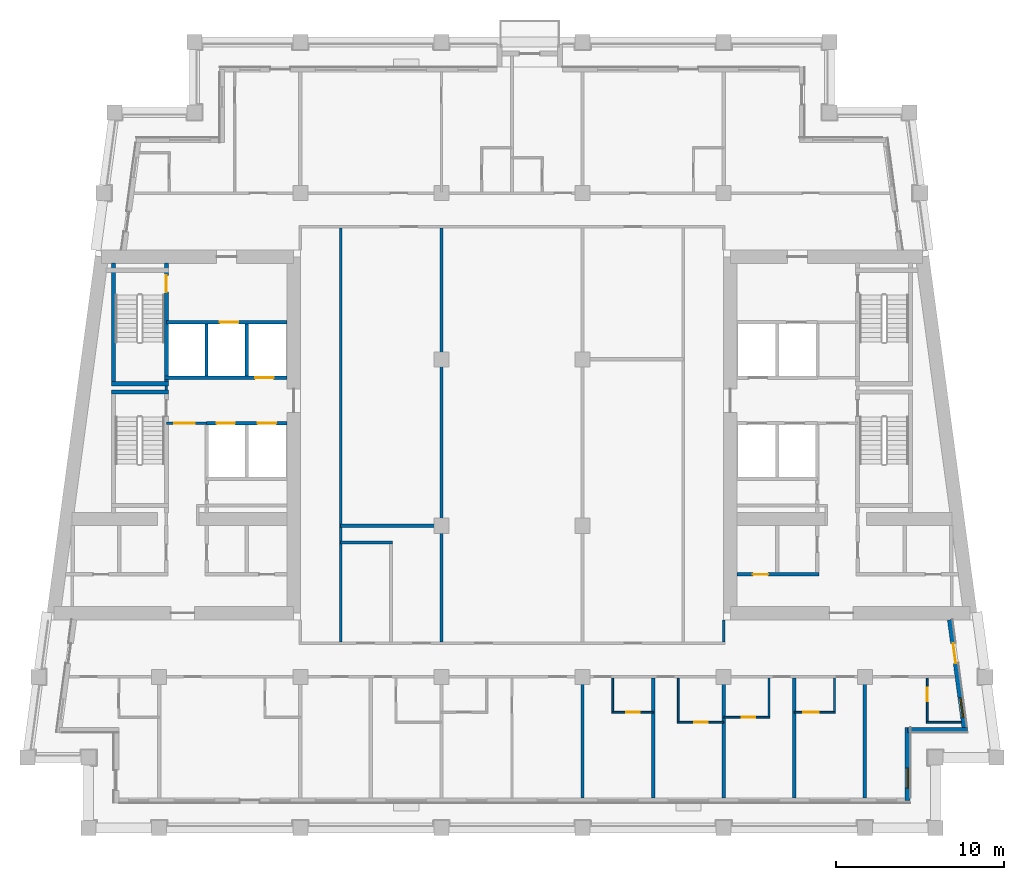
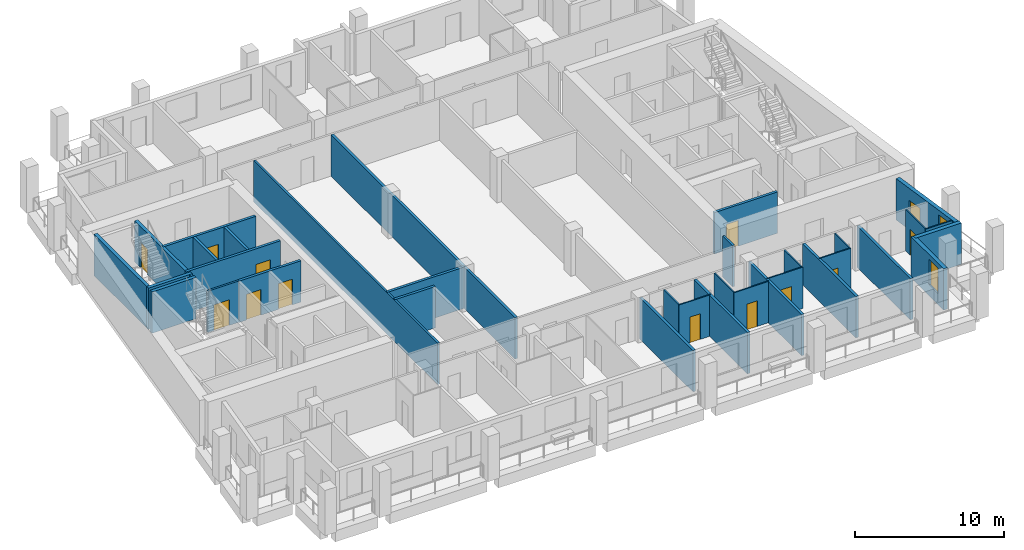
# One storey, part 4 of 12: 35 walls, 13 doors, 2 windows, 15 openings.
"""IFC4 building model written with IfcOpenShell, lengths in metres."""

from ifc_helpers import new_model, si_unit, direction, frame, frame_2d, origin, place, context, subcontext, project, spatial, rectangle, extrude, material, layer, layer_set, type_object, element, fill, save


model = new_model("IFC4")

# Units and contexts
model_context = context("Model", 3, precision=1e-05, world=origin(), true_north=direction((0.0, 1.0)))
body_context = subcontext(model_context, "Body", "Model", "MODEL_VIEW")
ifc_project = project(units=[si_unit("LENGTHUNIT", "METRE"), si_unit("AREAUNIT", "SQUARE_METRE"), si_unit("VOLUMEUNIT", "CUBIC_METRE"), si_unit("PLANEANGLEUNIT", "RADIAN"), si_unit("MASSUNIT", "GRAM", prefix="KILO")], contexts=[model_context])

# Site, building, storey
site_placement = place(None, origin())
site = spatial("IfcSite", under=ifc_project, at=site_placement, CompositionType="ELEMENT")
building_placement = place(site_placement, origin())
building = spatial("IfcBuilding", under=site, at=building_placement, Name="Candeia Pilgrim Tower and Theatre", CompositionType="ELEMENT")
storey_placement = place(building_placement, frame((0.0, 0.0, 228.10009765625)))
storey = spatial("IfcBuildingStorey", under=building, at=storey_placement, Name="L55", CompositionType="ELEMENT", Elevation=228.10009765625)

# Wall, opening, window
ifc_material_1 = material(Name="Ceramic block masonry", Category="masonry")
ifc_layer_1 = layer(ifc_material_1, 0.300048828125)
ifc_layer_set_1 = layer_set([ifc_layer_1], Name="EW1 glazing-line wall 300")
wall_type_1 = type_object("IfcWallType", Name="EW1 glazing-line wall 300", PredefinedType="SOLIDWALL", material=ifc_layer_set_1)
wall_1_placement = place(storey_placement, frame((136.949951171875, 99.64990234375, 0.0), z_axis=(0.0, 0.0, 1.0), x_axis=(0.0, 1.0, 0.0)))
wall_1 = element("IfcWall", 1, at=wall_1_placement, inside=storey, type_object=wall_type_1, Name="External wall L55-1.0", PredefinedType="SOLIDWALL", context=body_context, shape_type="SweptSolid", body=[
    extrude(rectangle(XDim=4.35009765625, YDim=0.300048828125, at=frame_2d((2.175048828125, 0.0))), origin(), (0.0, 0.0, 1.0), 3.3798828125),
])
opening_1_placement = place(wall_1_placement, frame((0.72509765625, 0.0, 0.89990234375)))
opening_1 = element("IfcOpeningElement", 2, at=opening_1_placement, cuts=wall_1, Name="Opening W-B", PredefinedType="OPENING", context=body_context, shape_type="SweptSolid", body=[
    extrude(rectangle(XDim=1.199951171875, YDim=2.10009765625, at=frame_2d((0.60009765625, 1.050048828125))), frame((0.0, 0.16015625, 0.0), z_axis=(0.0, -1.0, 0.0), x_axis=(1.0, 0.0, 0.0)), (0.0, 0.0, 1.0), 0.320068359375),
])
ifc_material_2 = material(Name="Aluminium framed double glazing", Category="aluminium")
window_type = type_object("IfcWindowType", Name="W-B window 1200x2100", PartitioningType="SINGLE_PANEL", PredefinedType="WINDOW", material=ifc_material_2)
window_1_placement = place(opening_1_placement, origin())
window_1 = element("IfcWindow", 3, at=window_1_placement, inside=storey, type_object=window_type, Name="Window W-B L55", OverallHeight=2.10009765625, OverallWidth=1.199951171875, PartitioningType="SINGLE_PANEL", PredefinedType="WINDOW", context=body_context, shape_type="SweptSolid", body=[
    extrude(rectangle(XDim=1.199951171875, YDim=2.10009765625, at=frame_2d((0.60009765625, 1.050048828125))), frame((0.0, 0.030029296875, 0.0), z_axis=(0.0, -1.0, 0.0), x_axis=(1.0, 0.0, 0.0)), (0.0, 0.0, 1.0), 0.06005859375),
])
fill(opening_1, window_1)

# Wall
wall_2_placement = place(storey_placement, frame((136.949951171875, 103.85009765625, 0.0), z_axis=(0.0, 0.0, 1.0), x_axis=(1.0, 0.0, 0.0)))
element("IfcWall", 4, at=wall_2_placement, inside=storey, type_object=wall_type_1, Name="External wall L55-2.0", PredefinedType="SOLIDWALL", context=body_context, shape_type="SweptSolid", body=[
    extrude(rectangle(XDim=3.569091796875, YDim=0.300048828125, at=frame_2d((1.78466796875, 0.0))), origin(), (0.0, 0.0, 1.0), 3.3798828125),
])

# Wall, openings, door, window
wall_3_placement = place(storey_placement, frame((140.34765625, 103.85009765625, 0.0), z_axis=(0.0, 0.0, 1.0), x_axis=(-0.133431549479, 0.991058031401, 0.0)))
wall_3 = element("IfcWall", 5, at=wall_3_placement, inside=storey, type_object=wall_type_1, Name="External wall L55-3.0", PredefinedType="SOLIDWALL", context=body_context, shape_type="SweptSolid", body=[
    extrude(rectangle(XDim=6.60888671875, YDim=0.300048828125, at=frame_2d((3.304443359375, 0.0))), origin(), (0.0, 0.0, 1.0), 3.3798828125),
])
opening_2_placement = place(wall_3_placement, frame((0.736572265625, 0.0, 0.89990234375)))
opening_2 = element("IfcOpeningElement", 6, at=opening_2_placement, cuts=wall_3, Name="Opening W-B", PredefinedType="OPENING", context=body_context, shape_type="SweptSolid", body=[
    extrude(rectangle(XDim=1.199951171875, YDim=2.10009765625, at=frame_2d((0.60009765625, 1.050048828125))), frame((0.0, 0.16015625, 0.0), z_axis=(0.0, -1.0, 0.0), x_axis=(1.0, 0.0, 0.0)), (0.0, 0.0, 1.0), 0.320068359375),
])
opening_3_placement = place(wall_3_placement, frame((3.990966796875, 0.0, 0.0)))
opening_3 = element("IfcOpeningElement", 7, at=opening_3_placement, cuts=wall_3, Name="Opening L55-ED526", PredefinedType="OPENING", context=body_context, shape_type="SweptSolid", body=[
    extrude(rectangle(XDim=1.199951171875, YDim=2.39990234375, at=frame_2d((0.60009765625, 1.199951171875))), frame((0.0, 0.16015625, 0.0), z_axis=(0.0, -1.0, 0.0), x_axis=(1.0, 0.0, 0.0)), (0.0, 0.0, 1.0), 0.320068359375),
])
ifc_material_3 = material(Name="Aluminium framed glazed door", Category="aluminium")
door_type_1 = type_object("IfcDoorType", Name="Loggia door 1200x2400", OperationType="DOUBLE_DOOR_SINGLE_SWING", PredefinedType="DOOR", material=ifc_material_3)
door_1_placement = place(opening_3_placement, origin())
door_1 = element("IfcDoor", 8, at=door_1_placement, inside=storey, type_object=door_type_1, Name="Loggia door L55-ED526", OperationType="DOUBLE_DOOR_SINGLE_SWING", OverallHeight=2.39990234375, OverallWidth=1.199951171875, PredefinedType="DOOR", context=body_context, shape_type="SweptSolid", body=[
    extrude(rectangle(XDim=1.199951171875, YDim=2.39990234375, at=frame_2d((0.60009765625, 1.199951171875))), frame((0.0, 0.02490234375, 0.0), z_axis=(0.0, -1.0, 0.0), x_axis=(1.0, 0.0, 0.0)), (0.0, 0.0, 1.0), 0.050048828125),
])
fill(opening_3, door_1)
window_2_placement = place(opening_2_placement, origin())
window_2 = element("IfcWindow", 9, at=window_2_placement, inside=storey, type_object=window_type, Name="Window W-B L55", OverallHeight=2.10009765625, OverallWidth=1.199951171875, PartitioningType="SINGLE_PANEL", PredefinedType="WINDOW", context=body_context, shape_type="SweptSolid", body=[
    extrude(rectangle(XDim=1.199951171875, YDim=2.10009765625, at=frame_2d((0.60009765625, 1.050048828125))), frame((0.0, 0.030029296875, 0.0), z_axis=(0.0, -1.0, 0.0), x_axis=(1.0, 0.0, 0.0)), (0.0, 0.0, 1.0), 0.06005859375),
])
fill(opening_2, window_2)

# Wall, opening, door
ifc_material_4 = material(Name="Gypsum board partition on steel studs", Category="steel")
ifc_layer_2 = layer(ifc_material_4, 0.10009765625)
ifc_layer_set_2 = layer_set([ifc_layer_2], Name="PW-100 room partition")
wall_type_2 = type_object("IfcWallType", Name="PW-100 room partition", PredefinedType="PARTITIONING", material=ifc_layer_set_2)
wall_4_placement = place(storey_placement, frame((123.25, 104.300048828125, 0.0), z_axis=(0.0, 0.0, 1.0), x_axis=(1.0, 0.0, 0.0)))
wall_4 = element("IfcWall", 10, at=wall_4_placement, inside=storey, type_object=wall_type_2, Name="Room partition L55-002", PredefinedType="PARTITIONING", context=body_context, shape_type="SweptSolid", body=[
    extrude(rectangle(XDim=2.75, YDim=0.10009765625, at=frame_2d((1.375, 0.0))), origin(), (0.0, 0.0, 1.0), 3.3798828125),
])
opening_4_placement = place(wall_4_placement, frame((1.0, 0.0, 0.0)))
opening_4 = element("IfcOpeningElement", 11, at=opening_4_placement, cuts=wall_4, Name="Opening L55-D030", PredefinedType="OPENING", context=body_context, shape_type="SweptSolid", body=[
    extrude(rectangle(XDim=0.800048828125, YDim=2.10009765625, at=frame_2d((0.39990234375, 1.050048828125))), frame((0.0, 0.06005859375, 0.0), z_axis=(0.0, -1.0, 0.0), x_axis=(1.0, 0.0, 0.0)), (0.0, 0.0, 1.0), 0.1201171875),
])
ifc_material_5 = material(Name="Timber door leaf", Category="wood")
door_type_2 = type_object("IfcDoorType", Name="D-800", OperationType="NOTDEFINED", PredefinedType="DOOR", material=ifc_material_5)
door_2_placement = place(opening_4_placement, origin())
door_2 = element("IfcDoor", 12, at=door_2_placement, inside=storey, type_object=door_type_2, Name="Door L55-D030", OperationType="SINGLE_SWING_LEFT", OverallHeight=2.10009765625, OverallWidth=0.800048828125, PredefinedType="DOOR", context=body_context, shape_type="SweptSolid", body=[
    extrude(rectangle(XDim=0.800048828125, YDim=2.10009765625, at=frame_2d((0.39990234375, 1.050048828125))), frame((0.0, 0.02490234375, 0.0), z_axis=(0.0, -1.0, 0.0), x_axis=(1.0, 0.0, 0.0)), (0.0, 0.0, 1.0), 0.050048828125),
])
fill(opening_4, door_2)

# Wall
wall_5_placement = place(storey_placement, frame((138.070068359375, 104.300048828125, 0.0), z_axis=(0.0, 0.0, 1.0), x_axis=(1.0, 0.0, 0.0)))
element("IfcWall", 13, at=wall_5_placement, inside=storey, type_object=wall_type_2, Name="Room partition L55-003", PredefinedType="PARTITIONING", context=body_context, shape_type="SweptSolid", body=[
    extrude(rectangle(XDim=2.07568359375, YDim=0.10009765625, at=frame_2d((1.037841796875, 0.0))), origin(), (0.0, 0.0, 1.0), 3.3798828125),
])

# Wall, opening, door
wall_6_placement = place(storey_placement, frame((126.0, 104.60009765625, 0.0), z_axis=(0.0, 0.0, 1.0), x_axis=(1.0, 0.0, 0.0)))
wall_6 = element("IfcWall", 14, at=wall_6_placement, inside=storey, type_object=wall_type_2, Name="Room partition L55-006", PredefinedType="PARTITIONING", context=body_context, shape_type="SweptSolid", body=[
    extrude(rectangle(XDim=2.75, YDim=0.10009765625, at=frame_2d((1.375, 0.0))), origin(), (0.0, 0.0, 1.0), 3.3798828125),
])
opening_5_placement = place(wall_6_placement, frame((1.070068359375, 0.0, 0.0)))
opening_5 = element("IfcOpeningElement", 15, at=opening_5_placement, cuts=wall_6, Name="Opening L55-D032", PredefinedType="OPENING", context=body_context, shape_type="SweptSolid", body=[
    extrude(rectangle(XDim=0.800048828125, YDim=2.10009765625, at=frame_2d((0.39990234375, 1.050048828125))), frame((0.0, 0.06005859375, 0.0), z_axis=(0.0, -1.0, 0.0), x_axis=(1.0, 0.0, 0.0)), (0.0, 0.0, 1.0), 0.1201171875),
])
door_3_placement = place(opening_5_placement, origin())
door_3 = element("IfcDoor", 16, at=door_3_placement, inside=storey, type_object=door_type_2, Name="Door L55-D032", OperationType="SINGLE_SWING_LEFT", OverallHeight=2.10009765625, OverallWidth=0.800048828125, PredefinedType="DOOR", context=body_context, shape_type="SweptSolid", body=[
    extrude(rectangle(XDim=0.800048828125, YDim=2.10009765625, at=frame_2d((0.39990234375, 1.050048828125))), frame((0.0, 0.02490234375, 0.0), z_axis=(0.0, -1.0, 0.0), x_axis=(1.0, 0.0, 0.0)), (0.0, 0.0, 1.0), 0.050048828125),
])
fill(opening_5, door_3)

wall_7_placement = place(storey_placement, frame((119.35009765625, 104.89990234375, 0.0), z_axis=(0.0, 0.0, 1.0), x_axis=(1.0, 0.0, 0.0)))
wall_7 = element("IfcWall", 17, at=wall_7_placement, inside=storey, type_object=wall_type_2, Name="Room partition L55-008", PredefinedType="PARTITIONING", context=body_context, shape_type="SweptSolid", body=[
    extrude(rectangle(XDim=2.449951171875, YDim=0.10009765625, at=frame_2d((1.22509765625, 0.0))), origin(), (0.0, 0.0, 1.0), 3.3798828125),
])
opening_6_placement = place(wall_7_placement, frame((0.85009765625, 0.0, 0.0)))
opening_6 = element("IfcOpeningElement", 18, at=opening_6_placement, cuts=wall_7, Name="Opening L55-D028", PredefinedType="OPENING", context=body_context, shape_type="SweptSolid", body=[
    extrude(rectangle(XDim=0.800048828125, YDim=2.10009765625, at=frame_2d((0.39990234375, 1.050048828125))), frame((0.0, 0.06005859375, 0.0), z_axis=(0.0, -1.0, 0.0), x_axis=(1.0, 0.0, 0.0)), (0.0, 0.0, 1.0), 0.1201171875),
])
door_4_placement = place(opening_6_placement, origin())
door_4 = element("IfcDoor", 19, at=door_4_placement, inside=storey, type_object=door_type_2, Name="Door L55-D028", OperationType="SINGLE_SWING_LEFT", OverallHeight=2.10009765625, OverallWidth=0.800048828125, PredefinedType="DOOR", context=body_context, shape_type="SweptSolid", body=[
    extrude(rectangle(XDim=0.800048828125, YDim=2.10009765625, at=frame_2d((0.39990234375, 1.050048828125))), frame((0.0, 0.02490234375, 0.0), z_axis=(0.0, -1.0, 0.0), x_axis=(1.0, 0.0, 0.0)), (0.0, 0.0, 1.0), 0.050048828125),
])
fill(opening_6, door_4)

wall_8_placement = place(storey_placement, frame((130.199951171875, 104.89990234375, 0.0), z_axis=(0.0, 0.0, 1.0), x_axis=(1.0, 0.0, 0.0)))
wall_8 = element("IfcWall", 20, at=wall_8_placement, inside=storey, type_object=wall_type_2, Name="Room partition L55-009", PredefinedType="PARTITIONING", context=body_context, shape_type="SweptSolid", body=[
    extrude(rectangle(XDim=2.449951171875, YDim=0.10009765625, at=frame_2d((1.22509765625, 0.0))), origin(), (0.0, 0.0, 1.0), 3.3798828125),
])
opening_7_placement = place(wall_8_placement, frame((0.550048828125, 0.0, 0.0)))
opening_7 = element("IfcOpeningElement", 21, at=opening_7_placement, cuts=wall_8, Name="Opening L55-D034", PredefinedType="OPENING", context=body_context, shape_type="SweptSolid", body=[
    extrude(rectangle(XDim=0.89990234375, YDim=2.10009765625, at=frame_2d((0.449951171875, 1.050048828125))), frame((0.0, 0.06005859375, 0.0), z_axis=(0.0, -1.0, 0.0), x_axis=(1.0, 0.0, 0.0)), (0.0, 0.0, 1.0), 0.1201171875),
])
door_type_3 = type_object("IfcDoorType", Name="D-900", OperationType="NOTDEFINED", PredefinedType="DOOR", material=ifc_material_5)
door_5_placement = place(opening_7_placement, origin())
door_5 = element("IfcDoor", 22, at=door_5_placement, inside=storey, type_object=door_type_3, Name="Door L55-D034", OperationType="SINGLE_SWING_LEFT", OverallHeight=2.10009765625, OverallWidth=0.89990234375, PredefinedType="DOOR", context=body_context, shape_type="SweptSolid", body=[
    extrude(rectangle(XDim=0.89990234375, YDim=2.10009765625, at=frame_2d((0.449951171875, 1.050048828125))), frame((0.0, 0.02490234375, 0.0), z_axis=(0.0, -1.0, 0.0), x_axis=(1.0, 0.0, 0.0)), (0.0, 0.0, 1.0), 0.050048828125),
])
fill(opening_7, door_5)

# Walls
wall_9_placement = place(storey_placement, frame((119.39990234375, 104.949951171875, 0.0), z_axis=(0.0, 0.0, 1.0), x_axis=(0.0, 1.0, 0.0)))
element("IfcWall", 23, at=wall_9_placement, inside=storey, type_object=wall_type_2, Name="Room partition L55-090", PredefinedType="PARTITIONING", context=body_context, shape_type="SweptSolid", body=[
    extrude(rectangle(XDim=1.97509765625, YDim=0.10009765625, at=frame_2d((0.987548828125, 0.0))), origin(), (0.0, 0.0, 1.0), 3.3798828125),
])
wall_10_placement = place(storey_placement, frame((123.300048828125, 104.35009765625, 0.0), z_axis=(0.0, 0.0, 1.0), x_axis=(0.0, 1.0, 0.0)))
element("IfcWall", 24, at=wall_10_placement, inside=storey, type_object=wall_type_2, Name="Room partition L55-092", PredefinedType="PARTITIONING", context=body_context, shape_type="SweptSolid", body=[
    extrude(rectangle(XDim=2.574951171875, YDim=0.10009765625, at=frame_2d((1.28759765625, 0.0))), origin(), (0.0, 0.0, 1.0), 3.3798828125),
])
wall_11_placement = place(storey_placement, frame((128.699951171875, 104.64990234375, 0.0), z_axis=(0.0, 0.0, 1.0), x_axis=(0.0, 1.0, 0.0)))
element("IfcWall", 25, at=wall_11_placement, inside=storey, type_object=wall_type_2, Name="Room partition L55-099", PredefinedType="PARTITIONING", context=body_context, shape_type="SweptSolid", body=[
    extrude(rectangle(XDim=2.275146484375, YDim=0.10009765625, at=frame_2d((1.1376953125, 0.0))), origin(), (0.0, 0.0, 1.0), 3.3798828125),
])
wall_12_placement = place(storey_placement, frame((132.60009765625, 104.949951171875, 0.0), z_axis=(0.0, 0.0, 1.0), x_axis=(0.0, 1.0, 0.0)))
element("IfcWall", 26, at=wall_12_placement, inside=storey, type_object=wall_type_2, Name="Room partition L55-108", PredefinedType="PARTITIONING", context=body_context, shape_type="SweptSolid", body=[
    extrude(rectangle(XDim=1.97509765625, YDim=0.10009765625, at=frame_2d((0.987548828125, 0.0))), origin(), (0.0, 0.0, 1.0), 3.3798828125),
])

# Wall, opening, door
wall_13_placement = place(storey_placement, frame((138.1201171875, 104.35009765625, 0.0), z_axis=(0.0, 0.0, 1.0), x_axis=(0.0, 1.0, 0.0)))
wall_13 = element("IfcWall", 27, at=wall_13_placement, inside=storey, type_object=wall_type_2, Name="Room partition L55-118", PredefinedType="PARTITIONING", context=body_context, shape_type="SweptSolid", body=[
    extrude(rectangle(XDim=2.574951171875, YDim=0.10009765625, at=frame_2d((1.28759765625, 0.0))), origin(), (0.0, 0.0, 1.0), 3.3798828125),
])
opening_8_placement = place(wall_13_placement, frame((1.199951171875, 0.0, 0.0)))
opening_8 = element("IfcOpeningElement", 28, at=opening_8_placement, cuts=wall_13, Name="Opening L55-D036", PredefinedType="OPENING", context=body_context, shape_type="SweptSolid", body=[
    extrude(rectangle(XDim=0.800048828125, YDim=2.10009765625, at=frame_2d((0.39990234375, 1.050048828125))), frame((0.0, 0.06005859375, 0.0), z_axis=(0.0, -1.0, 0.0), x_axis=(1.0, 0.0, 0.0)), (0.0, 0.0, 1.0), 0.1201171875),
])
door_6_placement = place(opening_8_placement, origin())
door_6 = element("IfcDoor", 29, at=door_6_placement, inside=storey, type_object=door_type_2, Name="Door L55-D036", OperationType="SINGLE_SWING_LEFT", OverallHeight=2.10009765625, OverallWidth=0.800048828125, PredefinedType="DOOR", context=body_context, shape_type="SweptSolid", body=[
    extrude(rectangle(XDim=0.800048828125, YDim=2.10009765625, at=frame_2d((0.39990234375, 1.050048828125))), frame((0.0, 0.02490234375, 0.0), z_axis=(0.0, -1.0, 0.0), x_axis=(1.0, 0.0, 0.0)), (0.0, 0.0, 1.0), 0.050048828125),
])
fill(opening_8, door_6)

ifc_layer_3 = layer(ifc_material_4, 0.14990234375)
ifc_layer_set_3 = layer_set([ifc_layer_3], Name="PW-150 lobby wall")
wall_type_3 = type_object("IfcWallType", Name="PW-150 lobby wall", PredefinedType="PARTITIONING", material=ifc_layer_set_3)
wall_14_placement = place(storey_placement, frame((92.826904296875, 122.10009765625, 0.0), z_axis=(0.0, 0.0, 1.0), x_axis=(1.0, 0.0, 0.0)))
wall_14 = element("IfcWall", 30, at=wall_14_placement, inside=storey, type_object=wall_type_3, Name="Lobby wall L55-028", PredefinedType="PARTITIONING", context=body_context, shape_type="SweptSolid", body=[
    extrude(rectangle(XDim=2.400146484375, YDim=0.14990234375, at=frame_2d((1.2001953125, 0.0))), origin(), (0.0, 0.0, 1.0), 3.3798828125),
])
opening_9_placement = place(wall_14_placement, frame((0.47509765625, 0.0, 0.0)))
opening_9 = element("IfcOpeningElement", 31, at=opening_9_placement, cuts=wall_14, Name="Opening L55-D001", PredefinedType="OPENING", context=body_context, shape_type="SweptSolid", body=[
    extrude(rectangle(XDim=1.199951171875, YDim=2.10009765625, at=frame_2d((0.60009765625, 1.050048828125))), frame((0.0, 0.0849609375, 0.0), z_axis=(0.0, -1.0, 0.0), x_axis=(1.0, 0.0, 0.0)), (0.0, 0.0, 1.0), 0.169921875),
])
ifc_material_6 = material(Name="Steel fire door set", Category="steel")
door_type_4 = type_object("IfcDoorType", Name="D-1200-FD60", OperationType="NOTDEFINED", PredefinedType="DOOR", material=ifc_material_6)
door_7_placement = place(opening_9_placement, origin())
door_7 = element("IfcDoor", 32, at=door_7_placement, inside=storey, type_object=door_type_4, Name="Door L55-D001", OperationType="SINGLE_SWING_RIGHT", OverallHeight=2.10009765625, OverallWidth=1.199951171875, PredefinedType="DOOR", context=body_context, shape_type="SweptSolid", body=[
    extrude(rectangle(XDim=1.199951171875, YDim=2.10009765625, at=frame_2d((0.60009765625, 1.050048828125))), frame((0.0, 0.02490234375, 0.0), z_axis=(0.0, -1.0, 0.0), x_axis=(1.0, 0.0, 0.0)), (0.0, 0.0, 1.0), 0.050048828125),
])
fill(opening_9, door_7)

# Walls
wall_15_placement = place(storey_placement, frame((92.826904296875, 124.074951171875, 0.0), z_axis=(0.0, 0.0, 1.0), x_axis=(0.0, 1.0, 0.0)))
element("IfcWall", 33, at=wall_15_placement, inside=storey, type_object=wall_type_3, Name="Lobby wall L55-058", PredefinedType="PARTITIONING", context=body_context, shape_type="SweptSolid", body=[
    extrude(rectangle(XDim=0.25, YDim=0.14990234375, at=frame_2d((0.125, 0.0))), origin(), (0.0, 0.0, 1.0), 3.3798828125),
])
ifc_layer_4 = layer(ifc_material_4, 0.14990234375)
ifc_layer_set_4 = layer_set([ifc_layer_4], Name="PW-150 unit wall")
wall_type_4 = type_object("IfcWallType", Name="PW-150 unit wall", PredefinedType="PARTITIONING", material=ifc_layer_set_4)
wall_16_placement = place(storey_placement, frame((103.199951171875, 109.074951171875, 0.0), z_axis=(0.0, 0.0, 1.0), x_axis=(0.0, 1.0, 0.0)))
element("IfcWall", 34, at=wall_16_placement, inside=storey, type_object=wall_type_4, Name="Unit wall L55-075", PredefinedType="PARTITIONING", context=body_context, shape_type="SweptSolid", body=[
    extrude(rectangle(XDim=24.650146484375, YDim=0.14990234375, at=frame_2d((12.3251953125, 0.0))), origin(), (0.0, 0.0, 1.0), 3.3798828125),
])
wall_17_placement = place(storey_placement, frame((126.0, 109.074951171875, 0.0), z_axis=(0.0, 0.0, 1.0), x_axis=(0.0, 1.0, 0.0)))
element("IfcWall", 35, at=wall_17_placement, inside=storey, type_object=wall_type_4, Name="Unit wall L55-097", PredefinedType="PARTITIONING", context=body_context, shape_type="SweptSolid", body=[
    extrude(rectangle(XDim=1.324951171875, YDim=0.14990234375, at=frame_2d((0.66259765625, 0.0))), origin(), (0.0, 0.0, 1.0), 3.3798828125),
])
ifc_layer_5 = layer(ifc_material_4, 0.199951171875)
ifc_layer_set_5 = layer_set([ifc_layer_5], Name="PW-200 party wall")
wall_type_5 = type_object("IfcWallType", Name="PW-200 party wall", PredefinedType="PARTITIONING", material=ifc_layer_set_5)
wall_18_placement = place(storey_placement, frame((103.199951171875, 115.0, 0.0), z_axis=(0.0, 0.0, 1.0), x_axis=(1.0, 0.0, 0.0)))
element("IfcWall", 36, at=wall_18_placement, inside=storey, type_object=wall_type_5, Name="Party wall L55-016", PredefinedType="PARTITIONING", context=body_context, shape_type="SweptSolid", body=[
    extrude(rectangle(XDim=3.10009765625, YDim=0.199951171875, at=frame_2d((1.550048828125, 0.0))), origin(), (0.0, 0.0, 1.0), 3.3798828125),
])
wall_19_placement = place(storey_placement, frame((103.199951171875, 116.0, 0.0), z_axis=(0.0, 0.0, 1.0), x_axis=(1.0, 0.0, 0.0)))
element("IfcWall", 37, at=wall_19_placement, inside=storey, type_object=wall_type_5, Name="Party wall L55-017", PredefinedType="PARTITIONING", context=body_context, shape_type="SweptSolid", body=[
    extrude(rectangle(XDim=6.0, YDim=0.199951171875, at=frame_2d((3.0, 0.0))), origin(), (0.0, 0.0, 1.0), 3.3798828125),
])
wall_20_placement = place(storey_placement, frame((109.199951171875, 109.074951171875, 0.0), z_axis=(0.0, 0.0, 1.0), x_axis=(0.0, 1.0, 0.0)))
element("IfcWall", 38, at=wall_20_placement, inside=storey, type_object=wall_type_5, Name="Party wall L55-081", PredefinedType="PARTITIONING", context=body_context, shape_type="SweptSolid", body=[
    extrude(rectangle(XDim=24.650146484375, YDim=0.199951171875, at=frame_2d((12.3251953125, 0.0))), origin(), (0.0, 0.0, 1.0), 3.3798828125),
])
for number, where, z_axis, x_axis, name in (
    (39, (117.60009765625, 99.7900390625, 0.0), (0.0, 0.0, 1.0), (0.0, 1.0, 0.0), "Party wall L55-087"),
    (40, (121.800048828125, 99.7900390625, 0.0), (0.0, 0.0, 1.0), (0.0, 1.0, 0.0), "Party wall L55-091"),
    (41, (126.0, 99.7900390625, 0.0), (0.0, 0.0, 1.0), (0.0, 1.0, 0.0), "Party wall L55-095"),
    (42, (130.199951171875, 99.7900390625, 0.0), (0.0, 0.0, 1.0), (0.0, 1.0, 0.0), "Party wall L55-103"),
    (43, (134.39990234375, 99.7900390625, 0.0), (0.0, 0.0, 1.0), (0.0, 1.0, 0.0), "Party wall L55-114"),
):
    element("IfcWall", number, at=place(storey_placement, frame(where, z_axis=z_axis, x_axis=x_axis)), inside=storey, type_object=wall_type_5, Name=name, PredefinedType="PARTITIONING", context=body_context, shape_type="SweptSolid", body=[
        extrude(rectangle(XDim=7.135009765625, YDim=0.199951171875, at=frame_2d((3.5673828125, 0.0))), origin(), (0.0, 0.0, 1.0), 3.3798828125),
    ])

# Wall, opening, door
ifc_material_7 = material(Name="Concrete C40/50", Category="concrete")
ifc_layer_6 = layer(ifc_material_7, 0.199951171875)
ifc_layer_set_6 = layer_set([ifc_layer_6], Name="SW-200 shaft wall")
wall_type_6 = type_object("IfcWallType", Name="SW-200 shaft wall", PredefinedType="PARTITIONING", material=ifc_layer_set_6)
wall_21_placement = place(storey_placement, frame((126.800048828125, 113.10009765625, 0.0), z_axis=(0.0, 0.0, 1.0), x_axis=(1.0, 0.0, 0.0)))
wall_21 = element("IfcWall", 44, at=wall_21_placement, inside=storey, type_object=wall_type_6, Name="Shaft wall L55-014", PredefinedType="PARTITIONING", context=body_context, shape_type="SweptSolid", body=[
    extrude(rectangle(XDim=4.873046875, YDim=0.199951171875, at=frame_2d((2.4365234375, 0.0))), origin(), (0.0, 0.0, 1.0), 3.3798828125),
])
opening_10_placement = place(wall_21_placement, frame((0.93994140625, 0.0, 0.0)))
opening_10 = element("IfcOpeningElement", 45, at=opening_10_placement, cuts=wall_21, Name="Opening L55-D016", PredefinedType="OPENING", context=body_context, shape_type="SweptSolid", body=[
    extrude(rectangle(XDim=0.89990234375, YDim=2.10009765625, at=frame_2d((0.449951171875, 1.050048828125))), frame((0.0, 0.10986328125, 0.0), z_axis=(0.0, -1.0, 0.0), x_axis=(1.0, 0.0, 0.0)), (0.0, 0.0, 1.0), 0.219970703125),
])
door_type_5 = type_object("IfcDoorType", Name="D-900-FD60", OperationType="NOTDEFINED", PredefinedType="DOOR", material=ifc_material_6)
door_8_placement = place(opening_10_placement, origin())
door_8 = element("IfcDoor", 46, at=door_8_placement, inside=storey, type_object=door_type_5, Name="Door L55-D016", OperationType="SINGLE_SWING_LEFT", OverallHeight=2.10009765625, OverallWidth=0.89990234375, PredefinedType="DOOR", context=body_context, shape_type="SweptSolid", body=[
    extrude(rectangle(XDim=0.89990234375, YDim=2.10009765625, at=frame_2d((0.449951171875, 1.050048828125))), frame((0.0, 0.02490234375, 0.0), z_axis=(0.0, -1.0, 0.0), x_axis=(1.0, 0.0, 0.0)), (0.0, 0.0, 1.0), 0.050048828125),
])
fill(opening_10, door_8)

# Wall, openings, doors
wall_22_placement = place(storey_placement, frame((95.22705078125, 122.10009765625, 0.0), z_axis=(0.0, 0.0, 1.0), x_axis=(1.0, 0.0, 0.0)))
wall_22 = element("IfcWall", 47, at=wall_22_placement, inside=storey, type_object=wall_type_6, Name="Shaft wall L55-026", PredefinedType="PARTITIONING", context=body_context, shape_type="SweptSolid", body=[
    extrude(rectangle(XDim=4.77294921875, YDim=0.199951171875, at=frame_2d((2.386474609375, 0.0))), origin(), (0.0, 0.0, 1.0), 3.3798828125),
])
opening_11_placement = place(wall_22_placement, frame((0.5849609375, 0.0, 0.0)))
opening_11 = element("IfcOpeningElement", 48, at=opening_11_placement, cuts=wall_22, Name="Opening L55-LD01", PredefinedType="OPENING", context=body_context, shape_type="SweptSolid", body=[
    extrude(rectangle(XDim=1.10009765625, YDim=2.10009765625, at=frame_2d((0.550048828125, 1.050048828125))), frame((0.0, 0.10986328125, 0.0), z_axis=(0.0, -1.0, 0.0), x_axis=(1.0, 0.0, 0.0)), (0.0, 0.0, 1.0), 0.219970703125),
])
opening_12_placement = place(wall_22_placement, frame((3.030029296875, 0.0, 0.0)))
opening_12 = element("IfcOpeningElement", 49, at=opening_12_placement, cuts=wall_22, Name="Opening L55-LD02", PredefinedType="OPENING", context=body_context, shape_type="SweptSolid", body=[
    extrude(rectangle(XDim=1.10009765625, YDim=2.10009765625, at=frame_2d((0.550048828125, 1.050048828125))), frame((0.0, 0.10986328125, 0.0), z_axis=(0.0, -1.0, 0.0), x_axis=(1.0, 0.0, 0.0)), (0.0, 0.0, 1.0), 0.219970703125),
])
ifc_material_8 = material(Name="Glazed aluminium landing door", Category="aluminium")
door_type_6 = type_object("IfcDoorType", Name="LD-1100-EI120", OperationType="SLIDING_TO_LEFT", PredefinedType="DOOR", material=ifc_material_8)
door_9_placement = place(opening_11_placement, origin())
door_9 = element("IfcDoor", 50, at=door_9_placement, inside=storey, type_object=door_type_6, Name="Landing door 01 L55", OperationType="SLIDING_TO_LEFT", OverallHeight=2.10009765625, OverallWidth=1.10009765625, PredefinedType="DOOR", context=body_context, shape_type="SweptSolid", body=[
    extrude(rectangle(XDim=1.10009765625, YDim=2.10009765625, at=frame_2d((0.550048828125, 1.050048828125))), frame((0.0, 0.02490234375, 0.0), z_axis=(0.0, -1.0, 0.0), x_axis=(1.0, 0.0, 0.0)), (0.0, 0.0, 1.0), 0.050048828125),
])
fill(opening_11, door_9)
door_10_placement = place(opening_12_placement, origin())
door_10 = element("IfcDoor", 51, at=door_10_placement, inside=storey, type_object=door_type_6, Name="Landing door 02 L55", OperationType="SLIDING_TO_LEFT", OverallHeight=2.10009765625, OverallWidth=1.10009765625, PredefinedType="DOOR", context=body_context, shape_type="SweptSolid", body=[
    extrude(rectangle(XDim=1.10009765625, YDim=2.10009765625, at=frame_2d((0.550048828125, 1.050048828125))), frame((0.0, 0.02490234375, 0.0), z_axis=(0.0, -1.0, 0.0), x_axis=(1.0, 0.0, 0.0)), (0.0, 0.0, 1.0), 0.050048828125),
])
fill(opening_12, door_10)

# Wall, opening, door
wall_23_placement = place(storey_placement, frame((92.701904296875, 124.800048828125, 0.0), z_axis=(0.0, 0.0, 1.0), x_axis=(1.0, 0.0, 0.0)))
wall_23 = element("IfcWall", 52, at=wall_23_placement, inside=storey, type_object=wall_type_6, Name="Shaft wall L55-034", PredefinedType="PARTITIONING", context=body_context, shape_type="SweptSolid", body=[
    extrude(rectangle(XDim=7.298095703125, YDim=0.199951171875, at=frame_2d((3.64892578125, 0.0))), origin(), (0.0, 0.0, 1.0), 3.3798828125),
])
opening_13_placement = place(wall_23_placement, frame((5.405029296875, 0.0, 0.0)))
opening_13 = element("IfcOpeningElement", 53, at=opening_13_placement, cuts=wall_23, Name="Opening L55-LD04", PredefinedType="OPENING", context=body_context, shape_type="SweptSolid", body=[
    extrude(rectangle(XDim=1.10009765625, YDim=2.10009765625, at=frame_2d((0.550048828125, 1.050048828125))), frame((0.0, 0.10986328125, 0.0), z_axis=(0.0, -1.0, 0.0), x_axis=(1.0, 0.0, 0.0)), (0.0, 0.0, 1.0), 0.219970703125),
])
door_11_placement = place(opening_13_placement, origin())
door_11 = element("IfcDoor", 54, at=door_11_placement, inside=storey, type_object=door_type_6, Name="Landing door 04 L55", OperationType="SLIDING_TO_LEFT", OverallHeight=2.10009765625, OverallWidth=1.10009765625, PredefinedType="DOOR", context=body_context, shape_type="SweptSolid", body=[
    extrude(rectangle(XDim=1.10009765625, YDim=2.10009765625, at=frame_2d((0.550048828125, 1.050048828125))), frame((0.0, 0.02490234375, 0.0), z_axis=(0.0, -1.0, 0.0), x_axis=(1.0, 0.0, 0.0)), (0.0, 0.0, 1.0), 0.050048828125),
])
fill(opening_13, door_11)

wall_24_placement = place(storey_placement, frame((92.826904296875, 128.10009765625, 0.0), z_axis=(0.0, 0.0, 1.0), x_axis=(1.0, 0.0, 0.0)))
wall_24 = element("IfcWall", 55, at=wall_24_placement, inside=storey, type_object=wall_type_6, Name="Shaft wall L55-038", PredefinedType="PARTITIONING", context=body_context, shape_type="SweptSolid", body=[
    extrude(rectangle(XDim=7.173095703125, YDim=0.199951171875, at=frame_2d((3.58642578125, 0.0))), origin(), (0.0, 0.0, 1.0), 3.3798828125),
])
opening_14_placement = place(wall_24_placement, frame((3.18408203125, 0.0, 0.0)))
opening_14 = element("IfcOpeningElement", 56, at=opening_14_placement, cuts=wall_24, Name="Opening L55-LD03", PredefinedType="OPENING", context=body_context, shape_type="SweptSolid", body=[
    extrude(rectangle(XDim=1.10009765625, YDim=2.10009765625, at=frame_2d((0.550048828125, 1.050048828125))), frame((0.0, 0.10986328125, 0.0), z_axis=(0.0, -1.0, 0.0), x_axis=(1.0, 0.0, 0.0)), (0.0, 0.0, 1.0), 0.219970703125),
])
door_12_placement = place(opening_14_placement, origin())
door_12 = element("IfcDoor", 57, at=door_12_placement, inside=storey, type_object=door_type_6, Name="Landing door 03 L55", OperationType="SLIDING_TO_LEFT", OverallHeight=2.10009765625, OverallWidth=1.10009765625, PredefinedType="DOOR", context=body_context, shape_type="SweptSolid", body=[
    extrude(rectangle(XDim=1.10009765625, YDim=2.10009765625, at=frame_2d((0.550048828125, 1.050048828125))), frame((0.0, 0.02490234375, 0.0), z_axis=(0.0, -1.0, 0.0), x_axis=(1.0, 0.0, 0.0)), (0.0, 0.0, 1.0), 0.050048828125),
])
fill(opening_14, door_12)

# Walls
for number, where, z_axis, x_axis, name in (
    (58, (95.218017578125, 124.89990234375, 0.0), (0.0, 0.0, 1.0), (0.0, 1.0, 0.0), "Shaft wall L55-063"),
    (59, (97.60888671875, 124.89990234375, 0.0), (0.0, 0.0, 1.0), (0.0, 1.0, 0.0), "Shaft wall L55-067"),
):
    element("IfcWall", number, at=place(storey_placement, frame(where, z_axis=z_axis, x_axis=x_axis)), inside=storey, type_object=wall_type_6, Name=name, PredefinedType="PARTITIONING", context=body_context, shape_type="SweptSolid", body=[
        extrude(rectangle(XDim=3.10009765625, YDim=0.199951171875, at=frame_2d((1.550048828125, 0.0))), origin(), (0.0, 0.0, 1.0), 3.3798828125),
    ])
ifc_layer_7 = layer(ifc_material_7, 0.25)
ifc_layer_set_7 = layer_set([ifc_layer_7], Name="SW-250 stair wall")
wall_type_7 = type_object("IfcWallType", Name="SW-250 stair wall", PredefinedType="PARTITIONING", material=ifc_layer_set_7)
for number, where, z_axis, x_axis, name in (
    (60, (89.552001953125, 123.949951171875, 0.0), (0.0, 0.0, 1.0), (1.0, 0.0, 0.0), "Stair wall L55-030"),
    (61, (89.552001953125, 124.449951171875, 0.0), (0.0, 0.0, 1.0), (1.0, 0.0, 0.0), "Stair wall L55-032"),
):
    element("IfcWall", number, at=place(storey_placement, frame(where, z_axis=z_axis, x_axis=x_axis)), inside=storey, type_object=wall_type_7, Name=name, PredefinedType="PARTITIONING", context=body_context, shape_type="SweptSolid", body=[
        extrude(rectangle(XDim=3.39990234375, YDim=0.25, at=frame_2d((1.699951171875, 0.0))), origin(), (0.0, 0.0, 1.0), 3.3798828125),
    ])
wall_25_placement = place(storey_placement, frame((89.677001953125, 124.574951171875, 0.0), z_axis=(0.0, 0.0, 1.0), x_axis=(0.0, 1.0, 0.0)))
element("IfcWall", 62, at=wall_25_placement, inside=storey, type_object=wall_type_7, Name="Stair wall L55-052", PredefinedType="PARTITIONING", context=body_context, shape_type="SweptSolid", body=[
    extrude(rectangle(XDim=7.054931640625, YDim=0.25, at=frame_2d((3.52734375, 0.0))), origin(), (0.0, 0.0, 1.0), 3.3798828125),
])

# Wall, opening, door
wall_26_placement = place(storey_placement, frame((92.826904296875, 124.574951171875, 0.0), z_axis=(0.0, 0.0, 1.0), x_axis=(0.0, 1.0, 0.0)))
wall_26 = element("IfcWall", 63, at=wall_26_placement, inside=storey, type_object=wall_type_7, Name="Stair wall L55-060", PredefinedType="PARTITIONING", context=body_context, shape_type="SweptSolid", body=[
    extrude(rectangle(XDim=7.054931640625, YDim=0.25, at=frame_2d((3.52734375, 0.0))), origin(), (0.0, 0.0, 1.0), 3.3798828125),
])
opening_15_placement = place(wall_26_placement, frame((5.324951171875, 0.0, 0.0)))
opening_15 = element("IfcOpeningElement", 64, at=opening_15_placement, cuts=wall_26, Name="Opening L55-D003", PredefinedType="OPENING", context=body_context, shape_type="SweptSolid", body=[
    extrude(rectangle(XDim=1.0, YDim=2.10009765625, at=frame_2d((0.5, 1.050048828125))), frame((0.0, 0.135009765625, 0.0), z_axis=(0.0, -1.0, 0.0), x_axis=(1.0, 0.0, 0.0)), (0.0, 0.0, 1.0), 0.27001953125),
])
door_type_7 = type_object("IfcDoorType", Name="D-1000-FD60", OperationType="NOTDEFINED", PredefinedType="DOOR", material=ifc_material_6)
door_13_placement = place(opening_15_placement, origin())
door_13 = element("IfcDoor", 65, at=door_13_placement, inside=storey, type_object=door_type_7, Name="Door L55-D003", OperationType="SINGLE_SWING_RIGHT", OverallHeight=2.10009765625, OverallWidth=1.0, PredefinedType="DOOR", context=body_context, shape_type="SweptSolid", body=[
    extrude(rectangle(XDim=1.0, YDim=2.10009765625, at=frame_2d((0.5, 1.050048828125))), frame((0.0, 0.02490234375, 0.0), z_axis=(0.0, -1.0, 0.0), x_axis=(1.0, 0.0, 0.0)), (0.0, 0.0, 1.0), 0.050048828125),
])
fill(opening_15, door_13)

save(model, "model.ifc")
